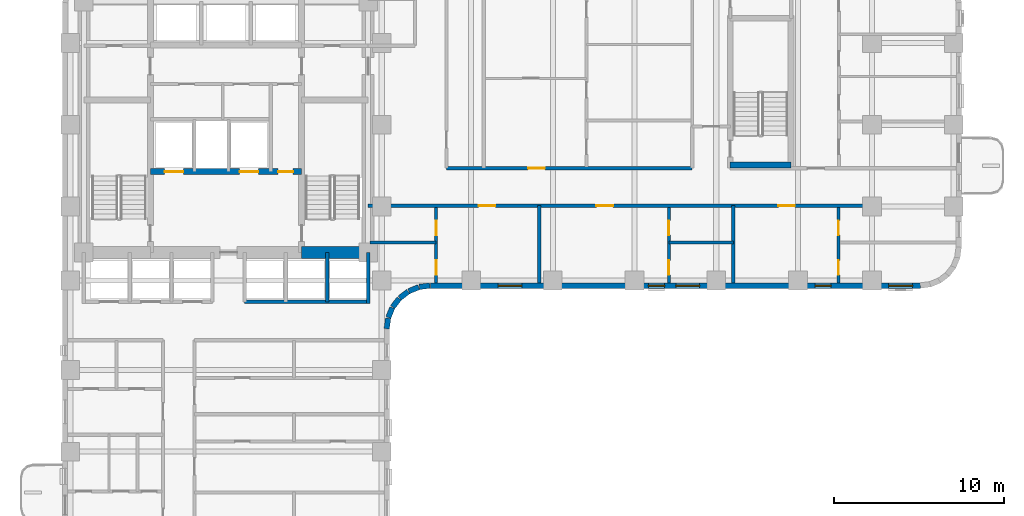
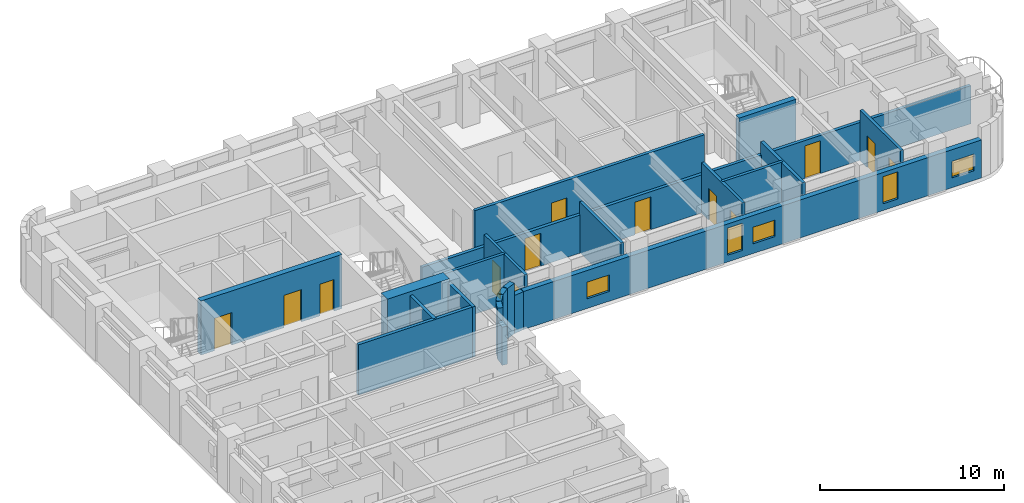
# One storey, part 5 of 12: 22 walls, 13 doors, 5 windows, 18 openings.
"""IFC4 building model written with IfcOpenShell, lengths in metres."""

import ifcopenshell
import ifcopenshell.guid

model = None  # the IFC model being written
_history = None  # IfcOwnerHistory: only IFC2X3 demands one
_inside = {}  # id of a spatial element -> (the spatial element, [elements in it])
_under = {}  # id of a project, library or spatial element -> (it, [spatial elements below it])
_declared = {}  # id of a project -> (the project, [libraries it declares])
_typed = {}  # id of a type object -> (the type object, [elements of that type])
_made_of = {}  # id of a material, layer set ... -> (it, [elements and type objects made of it])


def new_model(schema):
    """Start an empty IFC model of exactly this schema.

    Asked for "IFC4X3", IfcOpenShell would pick the latest addendum, in which some entities
    have other attributes; the version numbers below select the first issue.
    IFC2X3 requires an IfcOwnerHistory on every rooted entity: one is made here for all.
    """
    global model, _history
    if schema == "IFC4X3":
        model = ifcopenshell.file(schema_version=(4, 3, 0, 0))
    else:
        model = ifcopenshell.file(schema=schema)
    _inside.clear()
    _under.clear()
    _declared.clear()
    _typed.clear()
    _made_of.clear()
    _history = None
    if model.schema == "IFC2X3":
        org = make("IfcOrganization", Name="unknown")
        user = make(
            "IfcPersonAndOrganization",
            ThePerson=make("IfcPerson", FamilyName="unknown"),
            TheOrganization=org,
        )
        app = make(
            "IfcApplication",
            ApplicationDeveloper=org,
            Version="unknown",
            ApplicationFullName="unknown",
            ApplicationIdentifier="unknown",
        )
        _history = make(
            "IfcOwnerHistory",
            OwningUser=user,
            OwningApplication=app,
            ChangeAction="ADDED",
            CreationDate=0,
        )
    return model


def make(cls, **values):
    """One entity of the class cls with the attributes given. An attribute that is None is left unset."""
    return model.create_entity(
        cls, **{name: value for name, value in values.items() if value is not None}
    )


def rooted(cls, **values):
    """An entity with a GlobalId (a new one), such as an element, a storey or a relation."""
    return make(cls, GlobalId=ifcopenshell.guid.new(), OwnerHistory=_history, **values)


def si_unit(unit_type, name, prefix=None):
    """IfcSIUnit, for example si_unit("LENGTHUNIT", "METRE", prefix="MILLI")."""
    return make("IfcSIUnit", UnitType=unit_type, Prefix=prefix, Name=name)


def assignment(units):
    """IfcUnitAssignment: the units of a project."""
    return None if units is None else make("IfcUnitAssignment", Units=units)


def point(xyz):
    """IfcCartesianPoint."""
    return None if xyz is None else make("IfcCartesianPoint", Coordinates=xyz)


def direction(xyz):
    """IfcDirection."""
    return None if xyz is None else make("IfcDirection", DirectionRatios=xyz)


def frame(location, z_axis=None, x_axis=None):
    """IfcAxis2Placement3D, a coordinate frame: its origin and axes. An axis left out is left unset."""
    return make(
        "IfcAxis2Placement3D",
        Location=point(location),
        Axis=direction(z_axis),
        RefDirection=direction(x_axis),
    )


def frame_2d(location, x_axis=None):
    """IfcAxis2Placement2D, a coordinate frame in the plane: its origin and x axis."""
    return make(
        "IfcAxis2Placement2D", Location=point(location), RefDirection=direction(x_axis)
    )


def origin():
    """The frame at (0, 0, 0) with its axes left unset."""
    return frame((0.0, 0.0, 0.0))


def place(relative_to, where):
    """IfcLocalPlacement: puts the frame where relative to a parent placement (None: the world)."""
    return make(
        "IfcLocalPlacement", PlacementRelTo=relative_to, RelativePlacement=where
    )


def context(
    kind, dimensions, precision=None, world=None, true_north=None, identifier=None
):
    """IfcGeometricRepresentationContext, for example the 3D "Model" context."""
    return make(
        "IfcGeometricRepresentationContext",
        ContextIdentifier=identifier,
        ContextType=kind,
        CoordinateSpaceDimension=dimensions,
        Precision=precision,
        WorldCoordinateSystem=world,
        TrueNorth=true_north,
    )


def subcontext(parent, identifier, kind, view, scale=None):
    """IfcGeometricRepresentationSubContext, for example "Body" below "Model"."""
    return make(
        "IfcGeometricRepresentationSubContext",
        ContextIdentifier=identifier,
        ContextType=kind,
        ParentContext=parent,
        TargetScale=scale,
        TargetView=view,
    )


def project(units=None, contexts=None):
    """IfcProject with its units and contexts."""
    return rooted(
        "IfcProject",
        Name="project",
        RepresentationContexts=contexts,
        UnitsInContext=assignment(units),
    )


def spatial(cls, under=None, at=None, **own):
    """A site, building, storey or space (cls), placed at a placement, below another one or the project."""
    s = rooted(cls, ObjectPlacement=at, **own)
    if under is not None:
        _under.setdefault(under.id(), (under, []))[1].append(s)
    return s


def profile(cls, at=None, kind="AREA", **sizes):
    """A parametric profile (cls). Its sizes go by their IFC names, for example OverallWidth=200.0."""
    return make(cls, ProfileType=kind, Position=at, **sizes)


def rectangle(**sizes):
    """IfcRectangleProfileDef."""
    return profile("IfcRectangleProfileDef", **sizes)


def extrude(swept, where, along, depth):
    """IfcExtrudedAreaSolid: the profile swept, set in the frame where, extruded along a direction by depth."""
    return make(
        "IfcExtrudedAreaSolid",
        SweptArea=swept,
        Position=where,
        ExtrudedDirection=direction(along),
        Depth=depth,
    )


def shape(context_of_items, identifier, shape_type, items):
    """IfcShapeRepresentation: the items that make up one representation, for example the "Body"."""
    return make(
        "IfcShapeRepresentation",
        ContextOfItems=context_of_items,
        RepresentationIdentifier=identifier,
        RepresentationType=shape_type,
        Items=items,
    )


def material(Name=None, Category=None):
    """IfcMaterial."""
    return make("IfcMaterial", Name=Name, Category=Category)


def layer(
    of_material, thickness, ventilated=None, Name=None, Category=None, Priority=None
):
    """IfcMaterialLayer: one layer of a wall or slab, of a material (None: an air gap)."""
    return make(
        "IfcMaterialLayer",
        Material=of_material,
        LayerThickness=thickness,
        IsVentilated=ventilated,
        Name=Name,
        Category=Category,
        Priority=Priority,
    )


def layer_set(layers, Name=None):
    """IfcMaterialLayerSet."""
    return make("IfcMaterialLayerSet", MaterialLayers=layers, LayerSetName=Name)


def made_of(thing, what):
    """Note that an element or type object is made of a material, layer set ...; save() writes the relation."""
    if what is not None:
        _made_of.setdefault(what.id(), (what, []))[1].append(thing)
    return thing


def type_object(cls, material=None, **own):
    """A type object (cls), such as IfcWallType, which elements share."""
    return made_of(rooted(cls, **own), material)


def element(
    cls,
    number,
    at=None,
    inside=None,
    cuts=None,
    type_object=None,
    material=None,
    context=None,
    identifier="Body",
    shape_type=None,
    held_by="IfcProductDefinitionShape",
    body=None,
    shapes=None,
    **own,
):
    """One element of the class cls, such as IfcWall. Its Tag is "e" and its number.

    at: its placement. inside: the storey or other place that contains it. cuts: it is an
    opening in that element (IfcRelVoidsElement). A single representation is given by context,
    identifier, shape_type and body (its items); several are given by shapes. held_by: the class
    of the entity that holds the representations. save() writes the other relations.
    """
    e = rooted(cls, Tag="e%d" % number, ObjectPlacement=at, **own)
    if body is not None:
        shapes = [shape(context, identifier, shape_type, body)]
    if shapes is not None:
        e.Representation = make(held_by, Representations=shapes)
    if inside is not None:
        _inside.setdefault(inside.id(), (inside, []))[1].append(e)
    if cuts is not None:
        rooted(
            "IfcRelVoidsElement", RelatingBuildingElement=cuts, RelatedOpeningElement=e
        )
    if type_object is not None:
        _typed.setdefault(type_object.id(), (type_object, []))[1].append(e)
    return made_of(e, material)


def fill(opening, filler):
    """IfcRelFillsElement: the door or window that sits in an opening."""
    return rooted(
        "IfcRelFillsElement",
        RelatingOpeningElement=opening,
        RelatedBuildingElement=filler,
    )


def aggregate(whole, parts):
    """IfcRelAggregates: a whole, such as a stair, and the parts it consists of."""
    return rooted("IfcRelAggregates", RelatingObject=whole, RelatedObjects=parts)


def save(model, path):
    """Write the relations noted so far, then the file.

    IfcRelAggregates (storeys below a building ...), IfcRelContainedInSpatialStructure (elements
    in a storey), IfcRelDefinesByType, IfcRelAssociatesMaterial and IfcRelDeclares: one each for
    every whole, place, type object, material and project.
    """
    for whole, parts in _under.values():
        aggregate(whole, parts)
    for where, things in _inside.values():
        rooted(
            "IfcRelContainedInSpatialStructure",
            RelatedElements=things,
            RelatingStructure=where,
        )
    for kind, things in _typed.values():
        rooted("IfcRelDefinesByType", RelatedObjects=things, RelatingType=kind)
    for what, things in _made_of.values():
        rooted("IfcRelAssociatesMaterial", RelatedObjects=things, RelatingMaterial=what)
    for by, libraries in _declared.values():
        rooted("IfcRelDeclares", RelatingContext=by, RelatedDefinitions=libraries)
    model.write(path)


model = new_model("IFC4")

# Units and contexts
model_context = context("Model", 3, precision=1e-05, world=origin(), true_north=direction((0.0, 1.0)))
body_context = subcontext(model_context, "Body", "Model", "MODEL_VIEW")
ifc_project = project(units=[si_unit("LENGTHUNIT", "METRE"), si_unit("AREAUNIT", "SQUARE_METRE"), si_unit("VOLUMEUNIT", "CUBIC_METRE"), si_unit("PLANEANGLEUNIT", "RADIAN"), si_unit("MASSUNIT", "GRAM", prefix="KILO")], contexts=[model_context])

# Site, building, storey
site_placement = place(None, origin())
site = spatial("IfcSite", under=ifc_project, at=site_placement, CompositionType="ELEMENT")
building_placement = place(site_placement, origin())
building = spatial("IfcBuilding", under=site, at=building_placement, Name="Orvandelia Arch Residences", CompositionType="ELEMENT")
storey_placement = place(building_placement, frame((0.0, 0.0, 39.39990234375)))
storey = spatial("IfcBuildingStorey", under=building, at=storey_placement, Name="L09", CompositionType="ELEMENT", Elevation=39.39990234375)

# Wall, openings, doors
ifc_material_1 = material(Name="Concrete C50/60", Category="concrete")
ifc_layer_1 = layer(ifc_material_1, 0.35009765625, Name="Concrete C50/60", Category="concrete")
ifc_layer_set_1 = layer_set([ifc_layer_1], Name="Concrete C50/60")
wall_type_1 = type_object("IfcWallType", Name="WL-CORE-350", PredefinedType="SHEAR", material=ifc_layer_set_1)
wall_1_placement = place(storey_placement, frame((9.9599609375, 35.64990234375, 0.0), z_axis=(0.0, 0.0, 1.0), x_axis=(1.0, 0.0, 0.0)))
wall_1 = element("IfcWall", 1, at=wall_1_placement, inside=storey, type_object=wall_type_1, Name="Core Shear Wall L09-HZ3", PredefinedType="SHEAR", context=body_context, shape_type="SweptSolid", body=[
    extrude(rectangle(XDim=8.880126953125, YDim=0.35009765625, at=frame_2d((4.43994140625, 0.0))), origin(), (0.0, 0.0, 1.0), 3.60009765625),
])
opening_1_placement = place(wall_1_placement, frame((0.840087890625, 0.0, 0.0)))
opening_1 = element("IfcOpeningElement", 2, at=opening_1_placement, cuts=wall_1, Name="Opening FLD", PredefinedType="OPENING", context=body_context, shape_type="SweptSolid", body=[
    extrude(rectangle(XDim=1.10009765625, YDim=2.14990234375, at=frame_2d((0.550048828125, 1.074951171875))), frame((0.0, 0.18505859375, 0.0), z_axis=(0.0, -1.0, 0.0), x_axis=(1.0, 0.0, 0.0)), (0.0, 0.0, 1.0), 0.3701171875),
])
opening_2_placement = place(wall_1_placement, frame((5.239990234375, 0.0, 0.0)))
opening_2 = element("IfcOpeningElement", 3, at=opening_2_placement, cuts=wall_1, Name="Opening FLD", PredefinedType="OPENING", context=body_context, shape_type="SweptSolid", body=[
    extrude(rectangle(XDim=1.10009765625, YDim=2.14990234375, at=frame_2d((0.550048828125, 1.074951171875))), frame((0.0, 0.18505859375, 0.0), z_axis=(0.0, -1.0, 0.0), x_axis=(1.0, 0.0, 0.0)), (0.0, 0.0, 1.0), 0.3701171875),
])
opening_3_placement = place(wall_1_placement, frame((7.5, 0.0, 0.0)))
opening_3 = element("IfcOpeningElement", 4, at=opening_3_placement, cuts=wall_1, Name="Opening D5", PredefinedType="OPENING", context=body_context, shape_type="SweptSolid", body=[
    extrude(rectangle(XDim=0.8798828125, YDim=2.10009765625, at=frame_2d((0.43994140625, 1.050048828125))), frame((0.0, 0.18505859375, 0.0), z_axis=(0.0, -1.0, 0.0), x_axis=(1.0, 0.0, 0.0)), (0.0, 0.0, 1.0), 0.3701171875),
])
ifc_material_2 = material(Name="Firefighting Lift Stainless Sliding Door")
door_type_1 = type_object("IfcDoorType", Name="DR-FLFT-1100", OperationType="NOTDEFINED", PredefinedType="DOOR", material=ifc_material_2)
door_1_placement = place(opening_1_placement, origin())
door_1 = element("IfcDoor", 5, at=door_1_placement, inside=storey, type_object=door_type_1, Name="Firefighting Lift Landing Door FLD-FL1-L09", OperationType="SLIDING_TO_LEFT", OverallHeight=2.14990234375, OverallWidth=1.10009765625, PredefinedType="DOOR", context=body_context, shape_type="SweptSolid", body=[
    extrude(rectangle(XDim=1.10009765625, YDim=2.14990234375, at=frame_2d((0.550048828125, 1.074951171875))), frame((0.0, 0.02490234375, 0.0), z_axis=(0.0, -1.0, 0.0), x_axis=(1.0, 0.0, 0.0)), (0.0, 0.0, 1.0), 0.050048828125),
])
fill(opening_1, door_1)
door_2_placement = place(opening_2_placement, origin())
door_2 = element("IfcDoor", 6, at=door_2_placement, inside=storey, type_object=door_type_1, Name="Firefighting Lift Landing Door FLD-FL2-L09", OperationType="SLIDING_TO_RIGHT", OverallHeight=2.14990234375, OverallWidth=1.10009765625, PredefinedType="DOOR", context=body_context, shape_type="SweptSolid", body=[
    extrude(rectangle(XDim=1.10009765625, YDim=2.14990234375, at=frame_2d((0.550048828125, 1.074951171875))), frame((0.0, 0.02490234375, 0.0), z_axis=(0.0, -1.0, 0.0), x_axis=(1.0, 0.0, 0.0)), (0.0, 0.0, 1.0), 0.050048828125),
])
fill(opening_2, door_2)
ifc_material_3 = material(Name="Painted Galvanised Steel Service Door", Category="steel")
door_type_2 = type_object("IfcDoorType", Name="DR-SRV-880", OperationType="NOTDEFINED", PredefinedType="DOOR", material=ifc_material_3)
door_3_placement = place(opening_3_placement, origin())
door_3 = element("IfcDoor", 7, at=door_3_placement, inside=storey, type_object=door_type_2, Name="Core Stairway Passage South Fire Door L09", OperationType="SINGLE_SWING_LEFT", OverallHeight=2.10009765625, OverallWidth=0.8798828125, PredefinedType="DOOR", context=body_context, shape_type="SweptSolid", body=[
    extrude(rectangle(XDim=0.8798828125, YDim=2.10009765625, at=frame_2d((0.43994140625, 1.050048828125))), frame((0.0, 0.02490234375, 0.0), z_axis=(0.0, -1.0, 0.0), x_axis=(1.0, 0.0, 0.0)), (0.0, 0.0, 1.0), 0.050048828125),
])
fill(opening_3, door_3)

# Walls
wall_2_placement = place(storey_placement, frame((44.02001953125, 36.0400390625, 0.0), z_axis=(0.0, 0.0, 1.0), x_axis=(1.0, 0.0, 0.0)))
element("IfcWall", 8, at=wall_2_placement, inside=storey, type_object=wall_type_1, Name="East Stair Core Shear Wall L09-S", PredefinedType="SHEAR", context=body_context, shape_type="SweptSolid", body=[
    extrude(rectangle(XDim=3.580078125, YDim=0.35009765625, at=frame_2d((1.7900390625, 0.0))), origin(), (0.0, 0.0, 1.0), 3.60009765625),
])
ifc_material_4 = material(Name="Concrete C80/95", Category="concrete")
ifc_layer_2 = layer(ifc_material_4, 0.699951171875, Name="Concrete C80/95", Category="concrete")
ifc_layer_set_2 = layer_set([ifc_layer_2], Name="Concrete C80/95")
wall_type_2 = type_object("IfcWallType", Name="WL-CORE-700", PredefinedType="SHEAR", material=ifc_layer_set_2)
wall_3_placement = place(storey_placement, frame((18.840087890625, 30.89990234375, 0.0), z_axis=(0.0, 0.0, 1.0), x_axis=(1.0, 0.0, 0.0)))
element("IfcWall", 9, at=wall_3_placement, inside=storey, type_object=wall_type_2, Name="Core Shear Wall L09-SE", PredefinedType="SHEAR", context=body_context, shape_type="SweptSolid", body=[
    extrude(rectangle(XDim=3.909912109375, YDim=0.699951171875, at=frame_2d((1.955078125, 0.0))), origin(), (0.0, 0.0, 1.0), 3.60009765625),
])

# Wall, openings, doors
ifc_material_5 = material(Name="Fire-Rated Corridor Partition")
ifc_layer_3 = layer(ifc_material_5, 0.199951171875, Name="Fire-Rated Corridor Partition")
ifc_layer_set_3 = layer_set([ifc_layer_3], Name="Fire-Rated Corridor Partition")
wall_type_3 = type_object("IfcWallType", Name="WL-CORR-200", PredefinedType="PARTITIONING", material=ifc_layer_set_3)
wall_4_placement = place(storey_placement, frame((22.75, 33.64990234375, 0.0), z_axis=(0.0, 0.0, 1.0), x_axis=(1.0, 0.0, 0.0)))
wall_4 = element("IfcWall", 10, at=wall_4_placement, inside=storey, type_object=wall_type_3, Name="Interior Partition Wall WL-L09-ES-S", PredefinedType="PARTITIONING", context=body_context, shape_type="SweptSolid", body=[
    extrude(rectangle(XDim=34.530029296875, YDim=0.199951171875, at=frame_2d((17.26513671875, 0.0))), origin(), (0.0, 0.0, 1.0), 2.530029296875),
])
opening_4_placement = place(wall_4_placement, frame((6.490966796875, 0.0, 0.0)))
opening_4 = element("IfcOpeningElement", 11, at=opening_4_placement, cuts=wall_4, Name="Opening D1", PredefinedType="OPENING", context=body_context, shape_type="SweptSolid", body=[
    extrude(rectangle(XDim=0.97998046875, YDim=2.179931640625, at=frame_2d((0.489990234375, 1.08984375))), frame((0.0, 0.10986328125, 0.0), z_axis=(0.0, -1.0, 0.0), x_axis=(1.0, 0.0, 0.0)), (0.0, 0.0, 1.0), 0.219970703125),
])
opening_5_placement = place(wall_4_placement, frame((13.406005859375, 0.0, 0.0)))
opening_5 = element("IfcOpeningElement", 12, at=opening_5_placement, cuts=wall_4, Name="Opening D1", PredefinedType="OPENING", context=body_context, shape_type="SweptSolid", body=[
    extrude(rectangle(XDim=0.97998046875, YDim=2.179931640625, at=frame_2d((0.489990234375, 1.08984375))), frame((0.0, 0.10986328125, 0.0), z_axis=(0.0, -1.0, 0.0), x_axis=(1.0, 0.0, 0.0)), (0.0, 0.0, 1.0), 0.219970703125),
])
opening_6_placement = place(wall_4_placement, frame((24.090087890625, 0.0, 0.0)))
opening_6 = element("IfcOpeningElement", 13, at=opening_6_placement, cuts=wall_4, Name="Opening D1", PredefinedType="OPENING", context=body_context, shape_type="SweptSolid", body=[
    extrude(rectangle(XDim=0.97998046875, YDim=2.179931640625, at=frame_2d((0.489990234375, 1.08984375))), frame((0.0, 0.10986328125, 0.0), z_axis=(0.0, -1.0, 0.0), x_axis=(1.0, 0.0, 0.0)), (0.0, 0.0, 1.0), 0.219970703125),
])
ifc_material_6 = material(Name="Solid-Core Timber Acoustic Fire Door", Category="wood")
door_type_3 = type_object("IfcDoorType", Name="DR-ENT-980", OperationType="NOTDEFINED", PredefinedType="DOOR", material=ifc_material_6)
door_4_placement = place(opening_4_placement, origin())
door_4 = element("IfcDoor", 14, at=door_4_placement, inside=storey, type_object=door_type_3, Name="Unit L09-08 Entrance Door", OperationType="SINGLE_SWING_RIGHT", OverallHeight=2.179931640625, OverallWidth=0.97998046875, PredefinedType="DOOR", context=body_context, shape_type="SweptSolid", body=[
    extrude(rectangle(XDim=0.97998046875, YDim=2.179931640625, at=frame_2d((0.489990234375, 1.08984375))), frame((0.0, 0.02490234375, 0.0), z_axis=(0.0, -1.0, 0.0), x_axis=(1.0, 0.0, 0.0)), (0.0, 0.0, 1.0), 0.050048828125),
])
fill(opening_4, door_4)
door_5_placement = place(opening_5_placement, origin())
door_5 = element("IfcDoor", 15, at=door_5_placement, inside=storey, type_object=door_type_3, Name="Unit L09-09 Entrance Door", OperationType="SINGLE_SWING_LEFT", OverallHeight=2.179931640625, OverallWidth=0.97998046875, PredefinedType="DOOR", context=body_context, shape_type="SweptSolid", body=[
    extrude(rectangle(XDim=0.97998046875, YDim=2.179931640625, at=frame_2d((0.489990234375, 1.08984375))), frame((0.0, 0.02490234375, 0.0), z_axis=(0.0, -1.0, 0.0), x_axis=(1.0, 0.0, 0.0)), (0.0, 0.0, 1.0), 0.050048828125),
])
fill(opening_5, door_5)
door_6_placement = place(opening_6_placement, origin())
door_6 = element("IfcDoor", 16, at=door_6_placement, inside=storey, type_object=door_type_3, Name="Unit L09-10 Entrance Door", OperationType="SINGLE_SWING_RIGHT", OverallHeight=2.179931640625, OverallWidth=0.97998046875, PredefinedType="DOOR", context=body_context, shape_type="SweptSolid", body=[
    extrude(rectangle(XDim=0.97998046875, YDim=2.179931640625, at=frame_2d((0.489990234375, 1.08984375))), frame((0.0, 0.02490234375, 0.0), z_axis=(0.0, -1.0, 0.0), x_axis=(1.0, 0.0, 0.0)), (0.0, 0.0, 1.0), 0.050048828125),
])
fill(opening_6, door_6)

# Wall, opening, door
wall_5_placement = place(storey_placement, frame((27.35009765625, 35.85009765625, 0.0), z_axis=(0.0, 0.0, 1.0), x_axis=(1.0, 0.0, 0.0)))
wall_5 = element("IfcWall", 17, at=wall_5_placement, inside=storey, type_object=wall_type_3, Name="Interior Partition Wall WL-L09-ES-N1", PredefinedType="PARTITIONING", context=body_context, shape_type="SweptSolid", body=[
    extrude(rectangle(XDim=14.429931640625, YDim=0.199951171875, at=frame_2d((7.21484375, 0.0))), origin(), (0.0, 0.0, 1.0), 3.35009765625),
])
opening_7_placement = place(wall_5_placement, frame((4.803466796875, 0.0, 0.0)))
opening_7 = element("IfcOpeningElement", 18, at=opening_7_placement, cuts=wall_5, Name="Opening D1", PredefinedType="OPENING", context=body_context, shape_type="SweptSolid", body=[
    extrude(rectangle(XDim=0.97998046875, YDim=2.179931640625, at=frame_2d((0.489990234375, 1.08984375))), frame((0.0, 0.10986328125, 0.0), z_axis=(0.0, -1.0, 0.0), x_axis=(1.0, 0.0, 0.0)), (0.0, 0.0, 1.0), 0.219970703125),
])
door_7_placement = place(opening_7_placement, origin())
door_7 = element("IfcDoor", 19, at=door_7_placement, inside=storey, type_object=door_type_3, Name="Unit L09-11 Entrance Door", OperationType="SINGLE_SWING_LEFT", OverallHeight=2.179931640625, OverallWidth=0.97998046875, PredefinedType="DOOR", context=body_context, shape_type="SweptSolid", body=[
    extrude(rectangle(XDim=0.97998046875, YDim=2.179931640625, at=frame_2d((0.489990234375, 1.08984375))), frame((0.0, 0.02490234375, 0.0), z_axis=(0.0, -1.0, 0.0), x_axis=(1.0, 0.0, 0.0)), (0.0, 0.0, 1.0), 0.050048828125),
])
fill(opening_7, door_7)

# Walls
ifc_material_7 = material(Name="Concrete C40/50", Category="concrete")
ifc_layer_4 = layer(ifc_material_7, 0.199951171875, Name="Concrete C40/50", Category="concrete")
ifc_layer_set_4 = layer_set([ifc_layer_4], Name="Concrete C40/50")
wall_type_4 = type_object("IfcWallType", Name="WL-DEM-200", PredefinedType="SOLIDWALL", material=ifc_layer_set_4)
for number, where, z_axis, x_axis, name in (
    (20, (32.800048828125, 29.1201171875, 0.0), (0.0, 0.0, 1.0), (0.0, 1.0, 0.0), "Interior Partition Wall WL-L09-DEM-ESS-328"),
    (21, (44.199951171875, 29.1201171875, 0.0), (0.0, 0.0, 1.0), (0.0, 1.0, 0.0), "Interior Partition Wall WL-L09-DEM-ESS-442"),
):
    element("IfcWall", number, at=place(storey_placement, frame(where, z_axis=z_axis, x_axis=x_axis)), inside=storey, type_object=wall_type_4, Name=name, PredefinedType="SOLIDWALL", context=body_context, shape_type="SweptSolid", body=[
        extrude(rectangle(XDim=4.52978515625, YDim=0.199951171875, at=frame_2d((2.264892578125, 0.0))), origin(), (0.0, 0.0, 1.0), 3.35009765625),
    ])

# Wall, openings, windows
ifc_material_8 = material(Name="Precast concrete C40/50", Category="concrete")
ifc_layer_5 = layer(ifc_material_8, 0.320068359375, Name="Precast concrete C40/50", Category="concrete")
ifc_layer_set_5 = layer_set([ifc_layer_5], Name="Precast concrete C40/50")
wall_type_5 = type_object("IfcWallType", Name="WL-EXT-STONE-320", PredefinedType="STANDARD", material=ifc_layer_set_5)
wall_6_placement = place(storey_placement, frame((55.199951171875, 28.9599609375, 0.0), z_axis=(0.0, 0.0, 1.0), x_axis=(-1.0, 0.0, 0.0)))
wall_6 = element("IfcWall", 22, at=wall_6_placement, inside=storey, type_object=wall_type_5, Name="Coral-Limestone Precast Facade Wall L09-021", PredefinedType="STANDARD", context=body_context, shape_type="SweptSolid", body=[
    extrude(rectangle(XDim=28.800048828125, YDim=0.320068359375, at=frame_2d((14.39990234375, 0.0))), origin(), (0.0, 0.0, 1.0), 2.530029296875),
])
opening_8_placement = place(wall_6_placement, frame((23.4150390625, 0.0, 0.64990234375)))
opening_8 = element("IfcOpeningElement", 23, at=opening_8_placement, cuts=wall_6, Name="Opening W10", PredefinedType="OPENING", context=body_context, shape_type="SweptSolid", body=[
    extrude(rectangle(XDim=1.39990234375, YDim=1.10009765625, at=frame_2d((0.699951171875, 0.550048828125))), frame((0.0, 0.169921875, 0.0), z_axis=(0.0, -1.0, 0.0), x_axis=(1.0, 0.0, 0.0)), (0.0, 0.0, 1.0), 0.340087890625),
])
opening_9_placement = place(wall_6_placement, frame((15.033935546875, 0.0, 0.449951171875)))
opening_9 = element("IfcOpeningElement", 24, at=opening_9_placement, cuts=wall_6, Name="Opening W4", PredefinedType="OPENING", context=body_context, shape_type="SweptSolid", body=[
    extrude(rectangle(XDim=0.949951171875, YDim=1.800048828125, at=frame_2d((0.47509765625, 0.89990234375))), frame((0.0, 0.169921875, 0.0), z_axis=(0.0, -1.0, 0.0), x_axis=(1.0, 0.0, 0.0)), (0.0, 0.0, 1.0), 0.340087890625),
])
opening_10_placement = place(wall_6_placement, frame((5.25, 0.0, 0.449951171875)))
opening_10 = element("IfcOpeningElement", 25, at=opening_10_placement, cuts=wall_6, Name="Opening W4", PredefinedType="OPENING", context=body_context, shape_type="SweptSolid", body=[
    extrude(rectangle(XDim=0.949951171875, YDim=1.800048828125, at=frame_2d((0.47509765625, 0.89990234375))), frame((0.0, 0.169921875, 0.0), z_axis=(0.0, -1.0, 0.0), x_axis=(1.0, 0.0, 0.0)), (0.0, 0.0, 1.0), 0.340087890625),
])
opening_11_placement = place(wall_6_placement, frame((12.97900390625, 0.0, 0.64990234375)))
opening_11 = element("IfcOpeningElement", 26, at=opening_11_placement, cuts=wall_6, Name="Opening W10", PredefinedType="OPENING", context=body_context, shape_type="SweptSolid", body=[
    extrude(rectangle(XDim=1.39990234375, YDim=1.10009765625, at=frame_2d((0.699951171875, 0.550048828125))), frame((0.0, 0.169921875, 0.0), z_axis=(0.0, -1.0, 0.0), x_axis=(1.0, 0.0, 0.0)), (0.0, 0.0, 1.0), 0.340087890625),
])
opening_12_placement = place(wall_6_placement, frame((0.469970703125, 0.0, 0.64990234375)))
opening_12 = element("IfcOpeningElement", 27, at=opening_12_placement, cuts=wall_6, Name="Opening W10", PredefinedType="OPENING", context=body_context, shape_type="SweptSolid", body=[
    extrude(rectangle(XDim=1.39990234375, YDim=1.10009765625, at=frame_2d((0.699951171875, 0.550048828125))), frame((0.0, 0.169921875, 0.0), z_axis=(0.0, -1.0, 0.0), x_axis=(1.0, 0.0, 0.0)), (0.0, 0.0, 1.0), 0.340087890625),
])
ifc_material_9 = material(Name="Tempered Low-E Insulated Glazing", Category="glass")
window_type_1 = type_object("IfcWindowType", Name="WIN-CLR-1400x1100", PartitioningType="SINGLE_PANEL", PredefinedType="WINDOW", material=ifc_material_9)
window_1_placement = place(opening_8_placement, origin())
window_1 = element("IfcWindow", 28, at=window_1_placement, inside=storey, type_object=window_type_1, Name="Recessed Punched Window L09-014", OverallHeight=1.10009765625, OverallWidth=1.39990234375, PartitioningType="SINGLE_PANEL", PredefinedType="WINDOW", context=body_context, shape_type="SweptSolid", body=[
    extrude(rectangle(XDim=1.39990234375, YDim=1.10009765625, at=frame_2d((0.699951171875, 0.550048828125))), frame((0.0, 0.030029296875, 0.0), z_axis=(0.0, -1.0, 0.0), x_axis=(1.0, 0.0, 0.0)), (0.0, 0.0, 1.0), 0.06005859375),
])
fill(opening_8, window_1)
window_2_placement = place(opening_11_placement, origin())
window_2 = element("IfcWindow", 29, at=window_2_placement, inside=storey, type_object=window_type_1, Name="Recessed Punched Window L09-017", OverallHeight=1.10009765625, OverallWidth=1.39990234375, PartitioningType="SINGLE_PANEL", PredefinedType="WINDOW", context=body_context, shape_type="SweptSolid", body=[
    extrude(rectangle(XDim=1.39990234375, YDim=1.10009765625, at=frame_2d((0.699951171875, 0.550048828125))), frame((0.0, 0.030029296875, 0.0), z_axis=(0.0, -1.0, 0.0), x_axis=(1.0, 0.0, 0.0)), (0.0, 0.0, 1.0), 0.06005859375),
])
fill(opening_11, window_2)
window_3_placement = place(opening_12_placement, origin())
window_3 = element("IfcWindow", 30, at=window_3_placement, inside=storey, type_object=window_type_1, Name="Recessed Punched Window L09-018", OverallHeight=1.10009765625, OverallWidth=1.39990234375, PartitioningType="SINGLE_PANEL", PredefinedType="WINDOW", context=body_context, shape_type="SweptSolid", body=[
    extrude(rectangle(XDim=1.39990234375, YDim=1.10009765625, at=frame_2d((0.699951171875, 0.550048828125))), frame((0.0, 0.030029296875, 0.0), z_axis=(0.0, -1.0, 0.0), x_axis=(1.0, 0.0, 0.0)), (0.0, 0.0, 1.0), 0.06005859375),
])
fill(opening_12, window_3)
window_type_2 = type_object("IfcWindowType", Name="WIN-RES-0950x1800", PartitioningType="SINGLE_PANEL", PredefinedType="WINDOW", material=ifc_material_9)
window_4_placement = place(opening_9_placement, origin())
window_4 = element("IfcWindow", 31, at=window_4_placement, inside=storey, type_object=window_type_2, Name="Recessed Punched Window L09-015", OverallHeight=1.800048828125, OverallWidth=0.949951171875, PartitioningType="SINGLE_PANEL", PredefinedType="WINDOW", context=body_context, shape_type="SweptSolid", body=[
    extrude(rectangle(XDim=0.949951171875, YDim=1.800048828125, at=frame_2d((0.47509765625, 0.89990234375))), frame((0.0, 0.030029296875, 0.0), z_axis=(0.0, -1.0, 0.0), x_axis=(1.0, 0.0, 0.0)), (0.0, 0.0, 1.0), 0.06005859375),
])
fill(opening_9, window_4)
window_5_placement = place(opening_10_placement, origin())
window_5 = element("IfcWindow", 32, at=window_5_placement, inside=storey, type_object=window_type_2, Name="Recessed Punched Window L09-016", OverallHeight=1.800048828125, OverallWidth=0.949951171875, PartitioningType="SINGLE_PANEL", PredefinedType="WINDOW", context=body_context, shape_type="SweptSolid", body=[
    extrude(rectangle(XDim=0.949951171875, YDim=1.800048828125, at=frame_2d((0.47509765625, 0.89990234375))), frame((0.0, 0.030029296875, 0.0), z_axis=(0.0, -1.0, 0.0), x_axis=(1.0, 0.0, 0.0)), (0.0, 0.0, 1.0), 0.06005859375),
])
fill(opening_10, window_5)

# Walls
wall_7_placement = place(storey_placement, frame((26.379150390625, 28.95849609375, 0.0), z_axis=(0.0, 0.0, 1.0), x_axis=(-0.991447664465, -0.130504898859, 0.0)))
element("IfcWall", 33, at=wall_7_placement, inside=storey, type_object=wall_type_5, Name="Coral-Limestone Precast Facade Wall L09-022", PredefinedType="STANDARD", context=body_context, shape_type="SweptSolid", body=[
    extrude(rectangle(XDim=0.626708984375, YDim=0.320068359375, at=frame_2d((0.3134765625, 0.0))), origin(), (0.0, 0.0, 1.0), 2.530029296875),
])
wall_8_placement = place(storey_placement, frame((25.717529296875, 28.865966796875, 0.0), z_axis=(0.0, 0.0, 1.0), x_axis=(-0.923836271867, -0.382787856107, 0.0)))
element("IfcWall", 34, at=wall_8_placement, inside=storey, type_object=wall_type_5, Name="Coral-Limestone Precast Facade Wall L09-023", PredefinedType="STANDARD", context=body_context, shape_type="SweptSolid", body=[
    extrude(rectangle(XDim=0.626220703125, YDim=0.320068359375, at=frame_2d((0.31298828125, 0.0))), origin(), (0.0, 0.0, 1.0), 3.35009765625),
])
for number, where, z_axis, x_axis, name in (
    (35, (25.1025390625, 28.60546875, 0.0), (0.0, 0.0, 1.0), (-0.793405610854, -0.608693302629, 0.0), "Coral-Limestone Precast Facade Wall L09-024"),
    (36, (24.575927734375, 28.194580078125, 0.0), (0.0, 0.0, 1.0), (-0.608693302629, -0.793405610854, 0.0), "Coral-Limestone Precast Facade Wall L09-025"),
):
    element("IfcWall", number, at=place(storey_placement, frame(where, z_axis=z_axis, x_axis=x_axis)), inside=storey, type_object=wall_type_5, Name=name, PredefinedType="STANDARD", context=body_context, shape_type="SweptSolid", body=[
        extrude(rectangle(XDim=0.62646484375, YDim=0.320068359375, at=frame_2d((0.313232421875, 0.0))), origin(), (0.0, 0.0, 1.0), 3.35009765625),
    ])
wall_9_placement = place(storey_placement, frame((24.173583984375, 27.6611328125, 0.0), z_axis=(0.0, 0.0, 1.0), x_axis=(-0.382455093999, -0.923974080304, 0.0)))
element("IfcWall", 37, at=wall_9_placement, inside=storey, type_object=wall_type_5, Name="Coral-Limestone Precast Facade Wall L09-026", PredefinedType="STANDARD", context=body_context, shape_type="SweptSolid", body=[
    extrude(rectangle(XDim=0.626220703125, YDim=0.320068359375, at=frame_2d((0.31298828125, 0.0))), origin(), (0.0, 0.0, 1.0), 3.35009765625),
])
wall_10_placement = place(storey_placement, frame((23.923095703125, 27.0419921875, 0.0), z_axis=(0.0, 0.0, 1.0), x_axis=(-0.130555323746, -0.9914410257, 0.0)))
element("IfcWall", 38, at=wall_10_placement, inside=storey, type_object=wall_type_5, Name="Coral-Limestone Precast Facade Wall L09-027", PredefinedType="STANDARD", context=body_context, shape_type="SweptSolid", body=[
    extrude(rectangle(XDim=0.62646484375, YDim=0.320068359375, at=frame_2d((0.313232421875, 0.0))), origin(), (0.0, 0.0, 1.0), 2.530029296875),
])
ifc_material_10 = material(Name="Fire-Rated Shaft Enclosure Wall")
ifc_layer_6 = layer(ifc_material_10, 0.199951171875, Name="Fire-Rated Shaft Enclosure Wall")
ifc_layer_set_6 = layer_set([ifc_layer_6], Name="Fire-Rated Shaft Enclosure Wall")
wall_type_6 = type_object("IfcWallType", Name="WL-SHAFT-200", PredefinedType="POLYGONAL", material=ifc_layer_set_6)
wall_11_placement = place(storey_placement, frame((15.5, 28.0, 0.0), z_axis=(0.0, 0.0, 1.0), x_axis=(1.0, 0.0, 0.0)))
element("IfcWall", 39, at=wall_11_placement, inside=storey, type_object=wall_type_6, Name="Interior Partition Wall WL-L09-BNKM-S", PredefinedType="POLYGONAL", context=body_context, shape_type="SweptSolid", body=[
    extrude(rectangle(XDim=7.25, YDim=0.199951171875, at=frame_2d((3.625, 0.0))), origin(), (0.0, 0.0, 1.0), 3.35009765625),
])
wall_12_placement = place(storey_placement, frame((22.75, 27.89990234375, 0.0), z_axis=(0.0, 0.0, 1.0), x_axis=(0.0, 1.0, 0.0)))
element("IfcWall", 40, at=wall_12_placement, inside=storey, type_object=wall_type_6, Name="Interior Partition Wall WL-L09-BNKM-E", PredefinedType="POLYGONAL", context=body_context, shape_type="SweptSolid", body=[
    extrude(rectangle(XDim=3.0, YDim=0.199951171875, at=frame_2d((1.5, 0.0))), origin(), (0.0, 0.0, 1.0), 3.35009765625),
])
wall_13_placement = place(storey_placement, frame((20.35009765625, 28.0, 0.0), z_axis=(0.0, 0.0, 1.0), x_axis=(0.0, 1.0, 0.0)))
element("IfcWall", 41, at=wall_13_placement, inside=storey, type_object=wall_type_6, Name="Interior Partition Wall WL-L09-BNKD-2035", PredefinedType="POLYGONAL", context=body_context, shape_type="SweptSolid", body=[
    extrude(rectangle(XDim=2.89990234375, YDim=0.199951171875, at=frame_2d((1.449951171875, 0.0))), origin(), (0.0, 0.0, 1.0), 3.35009765625),
])

# Wall, openings, doors
ifc_material_11 = material(Name="Moisture-Resistant Plumbing Wall")
ifc_layer_7 = layer(ifc_material_11, 0.179931640625, Name="Moisture-Resistant Plumbing Wall")
ifc_layer_set_7 = layer_set([ifc_layer_7], Name="Moisture-Resistant Plumbing Wall")
wall_type_7 = type_object("IfcWallType", Name="WL-WET-180", PredefinedType="PLUMBINGWALL", material=ifc_layer_set_7)
wall_14_placement = place(storey_placement, frame((26.741943359375, 29.1201171875, 0.0), z_axis=(0.0, 0.0, 1.0), x_axis=(0.0, 1.0, 0.0)))
wall_14 = element("IfcWall", 42, at=wall_14_placement, inside=storey, type_object=wall_type_7, Name="Interior Partition Wall WL-L09-U08-VT", PredefinedType="PLUMBINGWALL", context=body_context, shape_type="SweptSolid", body=[
    extrude(rectangle(XDim=4.429931640625, YDim=0.179931640625, at=frame_2d((2.21484375, 0.0))), origin(), (0.0, 0.0, 1.0), 3.35009765625),
])
opening_13_placement = place(wall_14_placement, frame((0.458740234375, 0.0, 0.0)))
opening_13 = element("IfcOpeningElement", 43, at=opening_13_placement, cuts=wall_14, Name="Opening D4", PredefinedType="OPENING", context=body_context, shape_type="SweptSolid", body=[
    extrude(rectangle(XDim=0.860107421875, YDim=2.10009765625, at=frame_2d((0.43017578125, 1.050048828125))), frame((0.0, 0.10009765625, 0.0), z_axis=(0.0, -1.0, 0.0), x_axis=(1.0, 0.0, 0.0)), (0.0, 0.0, 1.0), 0.199951171875),
])
opening_14_placement = place(wall_14_placement, frame((2.79931640625, 0.0, 0.0)))
opening_14 = element("IfcOpeningElement", 44, at=opening_14_placement, cuts=wall_14, Name="Opening D4", PredefinedType="OPENING", context=body_context, shape_type="SweptSolid", body=[
    extrude(rectangle(XDim=0.860107421875, YDim=2.10009765625, at=frame_2d((0.43017578125, 1.050048828125))), frame((0.0, 0.10009765625, 0.0), z_axis=(0.0, -1.0, 0.0), x_axis=(1.0, 0.0, 0.0)), (0.0, 0.0, 1.0), 0.199951171875),
])
ifc_material_12 = material(Name="Moisture-Sealed Timber Bathroom Door", Category="wood")
door_type_4 = type_object("IfcDoorType", Name="DR-WET-900", OperationType="NOTDEFINED", PredefinedType="DOOR", material=ifc_material_12)
door_8_placement = place(opening_13_placement, origin())
door_8 = element("IfcDoor", 45, at=door_8_placement, inside=storey, type_object=door_type_4, Name="DR-L09-U08-KIT", OperationType="SINGLE_SWING_RIGHT", OverallHeight=2.10009765625, OverallWidth=0.860107421875, PredefinedType="DOOR", context=body_context, shape_type="SweptSolid", body=[
    extrude(rectangle(XDim=0.860107421875, YDim=2.10009765625, at=frame_2d((0.43017578125, 1.050048828125))), frame((0.0, 0.02490234375, 0.0), z_axis=(0.0, -1.0, 0.0), x_axis=(1.0, 0.0, 0.0)), (0.0, 0.0, 1.0), 0.050048828125),
])
fill(opening_13, door_8)
door_9_placement = place(opening_14_placement, origin())
door_9 = element("IfcDoor", 46, at=door_9_placement, inside=storey, type_object=door_type_4, Name="DR-L09-U08-BTH", OperationType="SINGLE_SWING_LEFT", OverallHeight=2.10009765625, OverallWidth=0.860107421875, PredefinedType="DOOR", context=body_context, shape_type="SweptSolid", body=[
    extrude(rectangle(XDim=0.860107421875, YDim=2.10009765625, at=frame_2d((0.43017578125, 1.050048828125))), frame((0.0, 0.02490234375, 0.0), z_axis=(0.0, -1.0, 0.0), x_axis=(1.0, 0.0, 0.0)), (0.0, 0.0, 1.0), 0.050048828125),
])
fill(opening_14, door_9)

# Wall
wall_15_placement = place(storey_placement, frame((22.85009765625, 31.485107421875, 0.0), z_axis=(0.0, 0.0, 1.0), x_axis=(1.0, 0.0, 0.0)))
element("IfcWall", 47, at=wall_15_placement, inside=storey, type_object=wall_type_7, Name="Interior Partition Wall WL-L09-U08-H1", PredefinedType="PLUMBINGWALL", context=body_context, shape_type="SweptSolid", body=[
    extrude(rectangle(XDim=3.891845703125, YDim=0.179931640625, at=frame_2d((1.94580078125, 0.0))), origin(), (0.0, 0.0, 1.0), 3.35009765625),
])

# Wall, openings, doors
wall_16_placement = place(storey_placement, frame((40.412109375, 29.1201171875, 0.0), z_axis=(0.0, 0.0, 1.0), x_axis=(0.0, 1.0, 0.0)))
wall_16 = element("IfcWall", 48, at=wall_16_placement, inside=storey, type_object=wall_type_7, Name="Interior Partition Wall WL-L09-U09-VT", PredefinedType="PLUMBINGWALL", context=body_context, shape_type="SweptSolid", body=[
    extrude(rectangle(XDim=4.429931640625, YDim=0.179931640625, at=frame_2d((2.21484375, 0.0))), origin(), (0.0, 0.0, 1.0), 3.35009765625),
])
opening_15_placement = place(wall_16_placement, frame((0.458740234375, 0.0, 0.0)))
opening_15 = element("IfcOpeningElement", 49, at=opening_15_placement, cuts=wall_16, Name="Opening D4", PredefinedType="OPENING", context=body_context, shape_type="SweptSolid", body=[
    extrude(rectangle(XDim=0.860107421875, YDim=2.10009765625, at=frame_2d((0.43017578125, 1.050048828125))), frame((0.0, 0.10009765625, 0.0), z_axis=(0.0, -1.0, 0.0), x_axis=(1.0, 0.0, 0.0)), (0.0, 0.0, 1.0), 0.199951171875),
])
opening_16_placement = place(wall_16_placement, frame((2.79931640625, 0.0, 0.0)))
opening_16 = element("IfcOpeningElement", 50, at=opening_16_placement, cuts=wall_16, Name="Opening D4", PredefinedType="OPENING", context=body_context, shape_type="SweptSolid", body=[
    extrude(rectangle(XDim=0.860107421875, YDim=2.10009765625, at=frame_2d((0.43017578125, 1.050048828125))), frame((0.0, 0.10009765625, 0.0), z_axis=(0.0, -1.0, 0.0), x_axis=(1.0, 0.0, 0.0)), (0.0, 0.0, 1.0), 0.199951171875),
])
door_10_placement = place(opening_15_placement, origin())
door_10 = element("IfcDoor", 51, at=door_10_placement, inside=storey, type_object=door_type_4, Name="DR-L09-U09-KIT", OperationType="SINGLE_SWING_LEFT", OverallHeight=2.10009765625, OverallWidth=0.860107421875, PredefinedType="DOOR", context=body_context, shape_type="SweptSolid", body=[
    extrude(rectangle(XDim=0.860107421875, YDim=2.10009765625, at=frame_2d((0.43017578125, 1.050048828125))), frame((0.0, 0.02490234375, 0.0), z_axis=(0.0, -1.0, 0.0), x_axis=(1.0, 0.0, 0.0)), (0.0, 0.0, 1.0), 0.050048828125),
])
fill(opening_15, door_10)
door_11_placement = place(opening_16_placement, origin())
door_11 = element("IfcDoor", 52, at=door_11_placement, inside=storey, type_object=door_type_4, Name="DR-L09-U09-BTH", OperationType="SINGLE_SWING_RIGHT", OverallHeight=2.10009765625, OverallWidth=0.860107421875, PredefinedType="DOOR", context=body_context, shape_type="SweptSolid", body=[
    extrude(rectangle(XDim=0.860107421875, YDim=2.10009765625, at=frame_2d((0.43017578125, 1.050048828125))), frame((0.0, 0.02490234375, 0.0), z_axis=(0.0, -1.0, 0.0), x_axis=(1.0, 0.0, 0.0)), (0.0, 0.0, 1.0), 0.050048828125),
])
fill(opening_16, door_11)

# Wall
wall_17_placement = place(storey_placement, frame((40.412109375, 31.485107421875, 0.0), z_axis=(0.0, 0.0, 1.0), x_axis=(1.0, 0.0, 0.0)))
element("IfcWall", 53, at=wall_17_placement, inside=storey, type_object=wall_type_7, Name="Interior Partition Wall WL-L09-U09-H1", PredefinedType="PLUMBINGWALL", context=body_context, shape_type="SweptSolid", body=[
    extrude(rectangle(XDim=3.787841796875, YDim=0.179931640625, at=frame_2d((1.89404296875, 0.0))), origin(), (0.0, 0.0, 1.0), 3.35009765625),
])

# Wall, openings, doors
wall_18_placement = place(storey_placement, frame((50.3798828125, 29.1201171875, 0.0), z_axis=(0.0, 0.0, 1.0), x_axis=(0.0, 1.0, 0.0)))
wall_18 = element("IfcWall", 54, at=wall_18_placement, inside=storey, type_object=wall_type_7, Name="Interior Partition Wall WL-L09-U10-VT", PredefinedType="PLUMBINGWALL", context=body_context, shape_type="SweptSolid", body=[
    extrude(rectangle(XDim=4.429931640625, YDim=0.179931640625, at=frame_2d((2.21484375, 0.0))), origin(), (0.0, 0.0, 1.0), 3.35009765625),
])
opening_17_placement = place(wall_18_placement, frame((0.458740234375, 0.0, 0.0)))
opening_17 = element("IfcOpeningElement", 55, at=opening_17_placement, cuts=wall_18, Name="Opening D4", PredefinedType="OPENING", context=body_context, shape_type="SweptSolid", body=[
    extrude(rectangle(XDim=0.860107421875, YDim=2.10009765625, at=frame_2d((0.43017578125, 1.050048828125))), frame((0.0, 0.10009765625, 0.0), z_axis=(0.0, -1.0, 0.0), x_axis=(1.0, 0.0, 0.0)), (0.0, 0.0, 1.0), 0.199951171875),
])
opening_18_placement = place(wall_18_placement, frame((2.79931640625, 0.0, 0.0)))
opening_18 = element("IfcOpeningElement", 56, at=opening_18_placement, cuts=wall_18, Name="Opening D4", PredefinedType="OPENING", context=body_context, shape_type="SweptSolid", body=[
    extrude(rectangle(XDim=0.860107421875, YDim=2.10009765625, at=frame_2d((0.43017578125, 1.050048828125))), frame((0.0, 0.10009765625, 0.0), z_axis=(0.0, -1.0, 0.0), x_axis=(1.0, 0.0, 0.0)), (0.0, 0.0, 1.0), 0.199951171875),
])
door_12_placement = place(opening_17_placement, origin())
door_12 = element("IfcDoor", 57, at=door_12_placement, inside=storey, type_object=door_type_4, Name="DR-L09-U10-KIT", OperationType="SINGLE_SWING_RIGHT", OverallHeight=2.10009765625, OverallWidth=0.860107421875, PredefinedType="DOOR", context=body_context, shape_type="SweptSolid", body=[
    extrude(rectangle(XDim=0.860107421875, YDim=2.10009765625, at=frame_2d((0.43017578125, 1.050048828125))), frame((0.0, 0.02490234375, 0.0), z_axis=(0.0, -1.0, 0.0), x_axis=(1.0, 0.0, 0.0)), (0.0, 0.0, 1.0), 0.050048828125),
])
fill(opening_17, door_12)
door_13_placement = place(opening_18_placement, origin())
door_13 = element("IfcDoor", 58, at=door_13_placement, inside=storey, type_object=door_type_4, Name="DR-L09-U10-BTH", OperationType="SINGLE_SWING_LEFT", OverallHeight=2.10009765625, OverallWidth=0.860107421875, PredefinedType="DOOR", context=body_context, shape_type="SweptSolid", body=[
    extrude(rectangle(XDim=0.860107421875, YDim=2.10009765625, at=frame_2d((0.43017578125, 1.050048828125))), frame((0.0, 0.02490234375, 0.0), z_axis=(0.0, -1.0, 0.0), x_axis=(1.0, 0.0, 0.0)), (0.0, 0.0, 1.0), 0.050048828125),
])
fill(opening_18, door_13)

save(model, "model.ifc")
